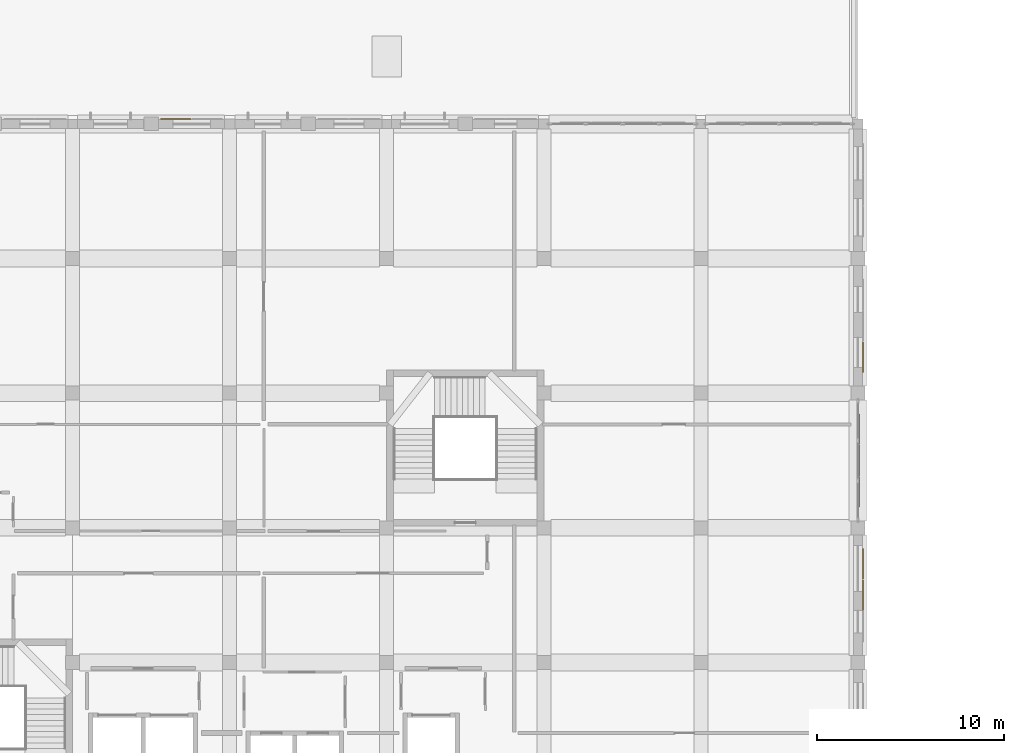
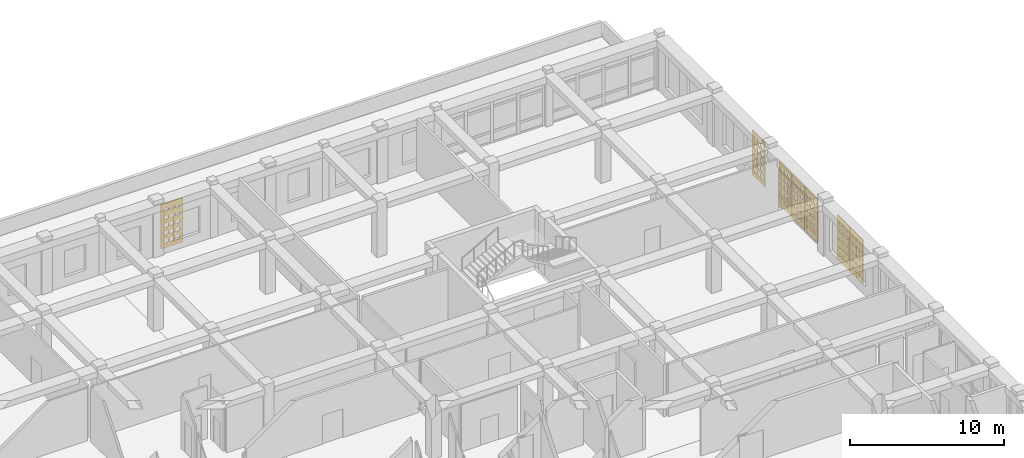
# One storey, part 102 of 111: 7 coverings.
"""IFC4 building model written with IfcOpenShell, lengths in metres."""

from ifc_helpers import new_model, si_unit, derived_unit, direction, frame, origin, place, context, subcontext, project, spatial, polyline, outline, extrude, material, layer, layer_set, type_object, element, save


model = new_model("IFC4")

# Units and contexts
model_context = context("Model", 3, precision=1e-05, world=origin(), true_north=direction((0.0, 1.0)))
body_context = subcontext(model_context, "Body", "Model", "MODEL_VIEW")
ifc_project = project(units=[si_unit("LENGTHUNIT", "METRE"), si_unit("AREAUNIT", "SQUARE_METRE"), si_unit("VOLUMEUNIT", "CUBIC_METRE"), si_unit("PLANEANGLEUNIT", "RADIAN"), si_unit("MASSUNIT", "GRAM", prefix="KILO"), derived_unit("THERMALTRANSMITTANCEUNIT", [(si_unit("POWERUNIT", "WATT"), 1), (si_unit("LENGTHUNIT", "METRE"), -2), (si_unit("THERMODYNAMICTEMPERATUREUNIT", "KELVIN"), -1)])], contexts=[model_context])

# Site, building, storey
site_placement = place(None, origin())
site = spatial("IfcSite", under=ifc_project, at=site_placement, CompositionType="ELEMENT")
building_placement = place(site_placement, origin())
building = spatial("IfcBuilding", under=site, at=building_placement, Name="Veybourne Emporium", CompositionType="ELEMENT")
storey_placement = place(building_placement, frame((0.0, 0.0, 9.89990234375)))
storey = spatial("IfcBuildingStorey", under=building, at=storey_placement, Name="L02", CompositionType="ELEMENT", Elevation=9.89990234375)

# Coverings
ifc_material = material(Name="Warm-White Perforated Aluminium Screen Alloy", Category="aluminium")
ifc_layer_1 = layer(ifc_material, 0.06005859375)
ifc_layer_set_1 = layer_set([ifc_layer_1], Name="Warm-White Perforated Aluminium Screen Alloy")
covering_type_1 = type_object("IfcCoveringType", Name="WaveScreen_SCR-01", PredefinedType="CLADDING", material=ifc_layer_set_1)
covering_1_placement = place(storey_placement, frame((101.09814453125, 82.800048828125, 1.815185546875), z_axis=(-1.0, 0.0, 0.0), x_axis=(0.0, -1.0, 0.0)))
element("IfcCovering", 1, at=covering_1_placement, inside=storey, type_object=covering_type_1, Name="L02 wave-perforated aluminium screen SCR-01 (56.2)", PredefinedType="CLADDING", context=body_context, shape_type="SweptSolid", body=[
    extrude(outline(polyline([(-0.81982421875, -1.7548828125), (0.81982421875, -1.7548828125), (0.81982421875, 1.7548828125), (-0.81982421875, 1.7548828125), (-0.81982421875, -1.7548828125)]), holes=[polyline([(-0.433349609375, -1.117919921875), (-0.333251953125, -1.1884765625), (-0.333251953125, -1.267578125), (-0.433349609375, -1.337890625), (-0.533203125, -1.267578125), (-0.533203125, -1.1884765625), (-0.433349609375, -1.117919921875)]), polyline([(-0.433349609375, -0.5029296875), (-0.33251953125, -0.573974609375), (-0.33251953125, -0.654052734375), (-0.433349609375, -0.72509765625), (-0.5341796875, -0.654052734375), (-0.5341796875, -0.573974609375), (-0.433349609375, -0.5029296875)]), polyline([(-0.433349609375, 0.1142578125), (-0.329833984375, 0.041259765625), (-0.329833984375, -0.041259765625), (-0.433349609375, -0.1142578125), (-0.536865234375, -0.041259765625), (-0.536865234375, 0.041259765625), (-0.433349609375, 0.1142578125)]), polyline([(-0.433349609375, 0.73388671875), (-0.3251953125, 0.6572265625), (-0.3251953125, 0.57080078125), (-0.433349609375, 0.493896484375), (-0.54150390625, 0.57080078125), (-0.54150390625, 0.6572265625), (-0.433349609375, 0.73388671875)]), polyline([(-0.433349609375, 1.355712890625), (-0.318603515625, 1.27392578125), (-0.318603515625, 1.181884765625), (-0.433349609375, 1.10009765625), (-0.5478515625, 1.181884765625), (-0.5478515625, 1.27392578125), (-0.433349609375, 1.355712890625)]), polyline([(0.0, -1.11767578125), (0.100341796875, -1.188232421875), (0.100341796875, -1.267578125), (0.0, -1.33837890625), (-0.100341796875, -1.267578125), (-0.100341796875, -1.188232421875), (0.0, -1.11767578125)]), polyline([(0.0, -0.50390625), (0.10009765625, -0.57421875), (0.10009765625, -0.65380859375), (0.0, -0.72412109375), (-0.10009765625, -0.65380859375), (-0.10009765625, -0.57421875), (0.0, -0.50390625)]), polyline([(0.0, 0.112548828125), (0.10205078125, 0.04052734375), (0.10205078125, -0.04052734375), (0.0, -0.112548828125), (-0.10205078125, -0.04052734375), (-0.10205078125, 0.04052734375), (0.0, 0.112548828125)]), polyline([(0.0, 0.731201171875), (0.10595703125, 0.65625), (0.10595703125, 0.57177734375), (0.0, 0.496826171875), (-0.10595703125, 0.57177734375), (-0.10595703125, 0.65625), (0.0, 0.731201171875)]), polyline([(0.0, 1.35205078125), (0.111572265625, 1.272705078125), (0.111572265625, 1.183349609375), (0.0, 1.10400390625), (-0.111572265625, 1.183349609375), (-0.111572265625, 1.272705078125), (0.0, 1.35205078125)]), polyline([(0.433349609375, -1.11669921875), (0.5341796875, -1.18798828125), (0.5341796875, -1.26806640625), (0.433349609375, -1.339111328125), (0.332275390625, -1.26806640625), (0.332275390625, -1.18798828125), (0.433349609375, -1.11669921875)]), polyline([(0.433349609375, -0.50390625), (0.533203125, -0.574462890625), (0.533203125, -0.653564453125), (0.433349609375, -0.72412109375), (0.333251953125, -0.653564453125), (0.333251953125, -0.574462890625), (0.433349609375, -0.50390625)]), polyline([(0.433349609375, 0.111083984375), (0.5341796875, 0.0400390625), (0.5341796875, -0.0400390625), (0.433349609375, -0.111083984375), (0.33251953125, -0.0400390625), (0.33251953125, 0.0400390625), (0.433349609375, 0.111083984375)]), polyline([(0.433349609375, 0.728759765625), (0.537109375, 0.6552734375), (0.537109375, 0.57275390625), (0.433349609375, 0.499267578125), (0.329345703125, 0.57275390625), (0.329345703125, 0.6552734375), (0.433349609375, 0.728759765625)]), polyline([(0.433349609375, 1.3486328125), (0.5419921875, 1.271484375), (0.5419921875, 1.1845703125), (0.433349609375, 1.107421875), (0.32470703125, 1.1845703125), (0.32470703125, 1.271484375), (0.433349609375, 1.3486328125)])]), origin(), (0.0, 0.0, 1.0), 0.06005859375),
])
covering_2_placement = place(storey_placement, frame((100.89697265625, 91.679931640625, 1.815185546875), z_axis=(-1.0, 0.0, 0.0), x_axis=(0.0, -1.0, 0.0)))
element("IfcCovering", 2, at=covering_2_placement, inside=storey, type_object=covering_type_1, Name="L02 wave-perforated aluminium screen SCR-01 (57C.1)", PredefinedType="CLADDING", context=body_context, shape_type="SweptSolid", body=[
    extrude(outline(polyline([(-0.81982421875, -1.7548828125), (0.81982421875, -1.7548828125), (0.81982421875, 1.7548828125), (-0.81982421875, 1.7548828125), (-0.81982421875, -1.7548828125)]), holes=[polyline([(-0.433349609375, -1.03759765625), (-0.267578125, -1.159423828125), (-0.267578125, -1.29638671875), (-0.433349609375, -1.418212890625), (-0.59912109375, -1.29638671875), (-0.59912109375, -1.159423828125), (-0.433349609375, -1.03759765625)]), polyline([(-0.433349609375, -0.409423828125), (-0.256103515625, -0.540283203125), (-0.256103515625, -0.6875), (-0.433349609375, -0.818603515625), (-0.610595703125, -0.6875), (-0.610595703125, -0.540283203125), (-0.433349609375, -0.409423828125)]), polyline([(-0.433349609375, 0.21826171875), (-0.2470703125, 0.07861328125), (-0.2470703125, -0.07861328125), (-0.433349609375, -0.21826171875), (-0.61962890625, -0.07861328125), (-0.61962890625, 0.07861328125), (-0.433349609375, 0.21826171875)]), polyline([(-0.433349609375, 0.84521484375), (-0.2470703125, 0.697265625), (-0.2470703125, 0.53076171875), (-0.433349609375, 0.3828125), (-0.61962890625, 0.53076171875), (-0.61962890625, 0.697265625), (-0.433349609375, 0.84521484375)]), polyline([(-0.433349609375, 1.47119140625), (-0.2470703125, 1.3154296875), (-0.2470703125, 1.140380859375), (-0.433349609375, 0.98486328125), (-0.61962890625, 1.140380859375), (-0.61962890625, 1.3154296875), (-0.433349609375, 1.47119140625)]), polyline([(0.0, -1.044189453125), (0.160400390625, -1.161865234375), (0.160400390625, -1.294189453125), (0.0, -1.411865234375), (-0.160400390625, -1.294189453125), (-0.160400390625, -1.161865234375), (0.0, -1.044189453125)]), polyline([(0.0, -0.416015625), (0.172119140625, -0.542724609375), (0.172119140625, -0.685302734375), (0.0, -0.81201171875), (-0.172119140625, -0.685302734375), (-0.172119140625, -0.542724609375), (0.0, -0.416015625)]), polyline([(0.0, 0.212158203125), (0.18359375, 0.076416015625), (0.18359375, -0.076416015625), (0.0, -0.212158203125), (-0.18359375, -0.076416015625), (-0.18359375, 0.076416015625), (0.0, 0.212158203125)]), polyline([(0.0, 0.839599609375), (0.186279296875, 0.6953125), (0.186279296875, 0.53271484375), (0.0, 0.388427734375), (-0.186279296875, 0.53271484375), (-0.186279296875, 0.6953125), (0.0, 0.839599609375)]), polyline([(0.0, 1.4658203125), (0.186279296875, 1.313720703125), (0.186279296875, 1.142333984375), (0.0, 0.989990234375), (-0.186279296875, 1.142333984375), (-0.186279296875, 1.313720703125), (0.0, 1.4658203125)]), polyline([(0.433349609375, -1.050537109375), (0.588623046875, -1.1640625), (0.588623046875, -1.2919921875), (0.433349609375, -1.405517578125), (0.278076171875, -1.2919921875), (0.278076171875, -1.1640625), (0.433349609375, -1.050537109375)]), polyline([(0.433349609375, -0.42236328125), (0.60009765625, -0.544921875), (0.60009765625, -0.68310546875), (0.433349609375, -0.8056640625), (0.2666015625, -0.68310546875), (0.2666015625, -0.544921875), (0.433349609375, -0.42236328125)]), polyline([(0.433349609375, 0.205810546875), (0.61181640625, 0.07421875), (0.61181640625, -0.07421875), (0.433349609375, -0.205810546875), (0.2548828125, -0.07421875), (0.2548828125, 0.07421875), (0.433349609375, 0.205810546875)]), polyline([(0.433349609375, 0.83349609375), (0.61962890625, 0.693115234375), (0.61962890625, 0.534912109375), (0.433349609375, 0.39453125), (0.2470703125, 0.534912109375), (0.2470703125, 0.693115234375), (0.433349609375, 0.83349609375)]), polyline([(0.433349609375, 1.46044921875), (0.61962890625, 1.311767578125), (0.61962890625, 1.144287109375), (0.433349609375, 0.99560546875), (0.2470703125, 1.144287109375), (0.2470703125, 1.311767578125), (0.433349609375, 1.46044921875)])]), origin(), (0.0, 0.0, 1.0), 0.06005859375),
])
ifc_layer_2 = layer(ifc_material, 0.06005859375)
ifc_layer_set_2 = layer_set([ifc_layer_2], Name="Warm-White Perforated Aluminium Screen Alloy")
covering_type_2 = type_object("IfcCoveringType", Name="WaveScreen_SCR-02", PredefinedType="CLADDING", material=ifc_layer_set_2)
covering_3_placement = place(storey_placement, frame((64.322509765625, 108.298095703125, 1.815185546875), z_axis=(0.0, -1.0, 0.0), x_axis=(1.0, 0.0, 0.0)))
element("IfcCovering", 3, at=covering_3_placement, inside=storey, type_object=covering_type_2, Name="L02 wave-perforated aluminium screen SCR-02 (34B.1)", PredefinedType="CLADDING", context=body_context, shape_type="SweptSolid", body=[
    extrude(outline(polyline([(-0.81982421875, -1.7548828125), (0.81982421875, -1.7548828125), (0.81982421875, 1.7548828125), (-0.81982421875, 1.7548828125), (-0.81982421875, -1.7548828125)]), holes=[polyline([(-0.433349609375, -0.98681640625), (-0.2470703125, -1.14111328125), (-0.2470703125, -1.31494140625), (-0.433349609375, -1.46923828125), (-0.61962890625, -1.31494140625), (-0.61962890625, -1.14111328125), (-0.433349609375, -0.98681640625)]), polyline([(-0.433349609375, -0.384765625), (-0.2470703125, -0.531494140625), (-0.2470703125, -0.696533203125), (-0.433349609375, -0.84326171875), (-0.61962890625, -0.696533203125), (-0.61962890625, -0.531494140625), (-0.433349609375, -0.384765625)]), polyline([(-0.433349609375, 0.216064453125), (-0.2470703125, 0.077880859375), (-0.2470703125, -0.077880859375), (-0.433349609375, -0.216064453125), (-0.61962890625, -0.077880859375), (-0.61962890625, 0.077880859375), (-0.433349609375, 0.216064453125)]), polyline([(-0.433349609375, 0.816162109375), (-0.2578125, 0.686767578125), (-0.2578125, 0.541259765625), (-0.433349609375, 0.411865234375), (-0.608642578125, 0.541259765625), (-0.608642578125, 0.686767578125), (-0.433349609375, 0.816162109375)]), polyline([(-0.433349609375, 1.416015625), (-0.26953125, 1.295654296875), (-0.26953125, 1.160400390625), (-0.433349609375, 1.0400390625), (-0.59716796875, 1.160400390625), (-0.59716796875, 1.295654296875), (-0.433349609375, 1.416015625)]), polyline([(0.0, -0.991943359375), (0.186279296875, -1.14306640625), (0.186279296875, -1.31298828125), (0.0, -1.464111328125), (-0.186279296875, -1.31298828125), (-0.186279296875, -1.14306640625), (0.0, -0.991943359375)]), polyline([(0.0, -0.390625), (0.186279296875, -0.53369140625), (0.186279296875, -0.6943359375), (0.0, -0.83740234375), (-0.186279296875, -0.6943359375), (-0.186279296875, -0.53369140625), (0.0, -0.390625)]), polyline([(0.0, 0.209716796875), (0.181640625, 0.075439453125), (0.181640625, -0.075439453125), (0.0, -0.209716796875), (-0.181640625, -0.075439453125), (-0.181640625, 0.075439453125), (0.0, 0.209716796875)]), polyline([(0.0, 0.809814453125), (0.170166015625, 0.6845703125), (0.170166015625, 0.54345703125), (0.0, 0.418212890625), (-0.170166015625, 0.54345703125), (-0.170166015625, 0.6845703125), (0.0, 0.809814453125)]), polyline([(0.0, 1.40966796875), (0.15869140625, 1.29345703125), (0.15869140625, 1.16259765625), (0.0, 1.04638671875), (-0.15869140625, 1.16259765625), (-0.15869140625, 1.29345703125), (0.0, 1.40966796875)]), polyline([(0.433349609375, -0.99755859375), (0.61962890625, -1.14501953125), (0.61962890625, -1.310791015625), (0.433349609375, -1.45849609375), (0.2470703125, -1.310791015625), (0.2470703125, -1.14501953125), (0.433349609375, -0.99755859375)]), polyline([(0.433349609375, -0.396728515625), (0.61962890625, -0.535888671875), (0.61962890625, -0.692138671875), (0.433349609375, -0.831298828125), (0.2470703125, -0.692138671875), (0.2470703125, -0.535888671875), (0.433349609375, -0.396728515625)]), polyline([(0.433349609375, 0.203369140625), (0.60986328125, 0.0732421875), (0.60986328125, -0.0732421875), (0.433349609375, -0.203369140625), (0.2568359375, -0.0732421875), (0.2568359375, 0.0732421875), (0.433349609375, 0.203369140625)]), polyline([(0.433349609375, 0.80322265625), (0.59814453125, 0.68212890625), (0.59814453125, 0.5458984375), (0.433349609375, 0.4248046875), (0.2685546875, 0.5458984375), (0.2685546875, 0.68212890625), (0.433349609375, 0.80322265625)]), polyline([(0.433349609375, 1.4033203125), (0.586669921875, 1.291015625), (0.586669921875, 1.164794921875), (0.433349609375, 1.052734375), (0.280029296875, 1.164794921875), (0.280029296875, 1.291015625), (0.433349609375, 1.4033203125)])]), origin(), (0.0, 0.0, 1.0), 0.06005859375),
])
covering_4_placement = place(storey_placement, frame((100.89697265625, 90.0, 1.815185546875), z_axis=(-1.0, 0.0, 0.0), x_axis=(0.0, -1.0, 0.0)))
element("IfcCovering", 4, at=covering_4_placement, inside=storey, type_object=covering_type_2, Name="L02 wave-perforated aluminium screen SCR-02 (57C.2)", PredefinedType="CLADDING", context=body_context, shape_type="SweptSolid", body=[
    extrude(outline(polyline([(-0.81982421875, -1.7548828125), (0.81982421875, -1.7548828125), (0.81982421875, 1.7548828125), (-0.81982421875, 1.7548828125), (-0.81982421875, -1.7548828125)]), holes=[polyline([(-0.433349609375, -1.06201171875), (-0.28759765625, -1.168212890625), (-0.28759765625, -1.28759765625), (-0.433349609375, -1.393798828125), (-0.5791015625, -1.28759765625), (-0.5791015625, -1.168212890625), (-0.433349609375, -1.06201171875)]), polyline([(-0.433349609375, -0.434326171875), (-0.2763671875, -0.54931640625), (-0.2763671875, -0.6787109375), (-0.433349609375, -0.793701171875), (-0.59033203125, -0.6787109375), (-0.59033203125, -0.54931640625), (-0.433349609375, -0.434326171875)]), polyline([(-0.433349609375, 0.193603515625), (-0.264892578125, 0.069580078125), (-0.264892578125, -0.069580078125), (-0.433349609375, -0.193603515625), (-0.601806640625, -0.069580078125), (-0.601806640625, 0.069580078125), (-0.433349609375, 0.193603515625)]), polyline([(-0.433349609375, 0.82177734375), (-0.25341796875, 0.688720703125), (-0.25341796875, 0.539306640625), (-0.433349609375, 0.40625), (-0.61328125, 0.539306640625), (-0.61328125, 0.688720703125), (-0.433349609375, 0.82177734375)]), polyline([(-0.433349609375, 1.449462890625), (-0.2470703125, 1.3076171875), (-0.2470703125, 1.148193359375), (-0.433349609375, 1.006591796875), (-0.61962890625, 1.148193359375), (-0.61962890625, 1.3076171875), (-0.433349609375, 1.449462890625)]), polyline([(0.0, -1.068115234375), (0.140869140625, -1.17041015625), (0.140869140625, -1.28564453125), (0.0, -1.387939453125), (-0.140869140625, -1.28564453125), (-0.140869140625, -1.17041015625), (0.0, -1.068115234375)]), polyline([(0.0, -0.440673828125), (0.15185546875, -0.551513671875), (0.15185546875, -0.676513671875), (0.0, -0.787353515625), (-0.15185546875, -0.676513671875), (-0.15185546875, -0.551513671875), (0.0, -0.440673828125)]), polyline([(0.0, 0.187255859375), (0.163330078125, 0.0673828125), (0.163330078125, -0.0673828125), (0.0, -0.187255859375), (-0.163330078125, -0.0673828125), (-0.163330078125, 0.0673828125), (0.0, 0.187255859375)]), polyline([(0.0, 0.8154296875), (0.1748046875, 0.6865234375), (0.1748046875, 0.54150390625), (0.0, 0.41259765625), (-0.1748046875, 0.54150390625), (-0.1748046875, 0.6865234375), (0.0, 0.8154296875)]), polyline([(0.0, 1.443359375), (0.186279296875, 1.305419921875), (0.186279296875, 1.150390625), (0.0, 1.0126953125), (-0.186279296875, 1.150390625), (-0.186279296875, 1.305419921875), (0.0, 1.443359375)]), polyline([(0.433349609375, -1.073974609375), (0.5693359375, -1.172607421875), (0.5693359375, -1.283447265625), (0.433349609375, -1.382080078125), (0.29736328125, -1.283447265625), (0.29736328125, -1.172607421875), (0.433349609375, -1.073974609375)]), polyline([(0.433349609375, -0.447021484375), (0.580078125, -0.5537109375), (0.580078125, -0.67431640625), (0.433349609375, -0.781005859375), (0.28662109375, -0.67431640625), (0.28662109375, -0.5537109375), (0.433349609375, -0.447021484375)]), polyline([(0.433349609375, 0.180908203125), (0.59130859375, 0.065185546875), (0.59130859375, -0.065185546875), (0.433349609375, -0.180908203125), (0.275390625, -0.065185546875), (0.275390625, 0.065185546875), (0.433349609375, 0.180908203125)]), polyline([(0.433349609375, 0.80908203125), (0.602783203125, 0.68408203125), (0.602783203125, 0.543701171875), (0.433349609375, 0.4189453125), (0.263671875, 0.543701171875), (0.263671875, 0.68408203125), (0.433349609375, 0.80908203125)]), polyline([(0.433349609375, 1.43701171875), (0.614501953125, 1.30322265625), (0.614501953125, 1.152587890625), (0.433349609375, 1.018798828125), (0.252197265625, 1.152587890625), (0.252197265625, 1.30322265625), (0.433349609375, 1.43701171875)])]), origin(), (0.0, 0.0, 1.0), 0.06005859375),
])
ifc_layer_3 = layer(ifc_material, 0.06005859375)
ifc_layer_set_3 = layer_set([ifc_layer_3], Name="Warm-White Perforated Aluminium Screen Alloy")
covering_type_3 = type_object("IfcCoveringType", Name="WaveScreen_SCR-03", PredefinedType="CLADDING", material=ifc_layer_set_3)
covering_5_placement = place(storey_placement, frame((100.89697265625, 88.320068359375, 1.815185546875), z_axis=(-1.0, 0.0, 0.0), x_axis=(0.0, -1.0, 0.0)))
element("IfcCovering", 5, at=covering_5_placement, inside=storey, type_object=covering_type_3, Name="L02 wave-perforated aluminium screen SCR-03 (57C.3)", PredefinedType="CLADDING", context=body_context, shape_type="SweptSolid", body=[
    extrude(outline(polyline([(-0.81982421875, -1.7548828125), (0.81982421875, -1.7548828125), (0.81982421875, 1.7548828125), (-0.81982421875, 1.7548828125), (-0.81982421875, -1.7548828125)]), holes=[polyline([(-0.433349609375, -1.084228515625), (-0.3056640625, -1.17626953125), (-0.3056640625, -1.27978515625), (-0.433349609375, -1.371826171875), (-0.56103515625, -1.27978515625), (-0.56103515625, -1.17626953125), (-0.433349609375, -1.084228515625)]), polyline([(-0.433349609375, -0.4580078125), (-0.295654296875, -0.557861328125), (-0.295654296875, -0.670166015625), (-0.433349609375, -0.77001953125), (-0.57080078125, -0.670166015625), (-0.57080078125, -0.557861328125), (-0.433349609375, -0.4580078125)]), polyline([(-0.433349609375, 0.169189453125), (-0.284912109375, 0.060791015625), (-0.284912109375, -0.060791015625), (-0.433349609375, -0.169189453125), (-0.581787109375, -0.060791015625), (-0.581787109375, 0.060791015625), (-0.433349609375, 0.169189453125)]), polyline([(-0.433349609375, 0.797119140625), (-0.273681640625, 0.679931640625), (-0.273681640625, 0.548095703125), (-0.433349609375, 0.430908203125), (-0.593017578125, 0.548095703125), (-0.593017578125, 0.679931640625), (-0.433349609375, 0.797119140625)]), polyline([(-0.433349609375, 1.42529296875), (-0.261962890625, 1.299072265625), (-0.261962890625, 1.156982421875), (-0.433349609375, 1.03076171875), (-0.604736328125, 1.156982421875), (-0.604736328125, 1.299072265625), (-0.433349609375, 1.42529296875)]), polyline([(0.0, -1.089111328125), (0.12353515625, -1.177978515625), (0.12353515625, -1.278076171875), (0.0, -1.36669921875), (-0.12353515625, -1.278076171875), (-0.12353515625, -1.177978515625), (0.0, -1.089111328125)]), polyline([(0.0, -0.463623046875), (0.133056640625, -0.559814453125), (0.133056640625, -0.668212890625), (0.0, -0.764404296875), (-0.133056640625, -0.668212890625), (-0.133056640625, -0.559814453125), (0.0, -0.463623046875)]), polyline([(0.0, 0.1630859375), (0.143310546875, 0.05859375), (0.143310546875, -0.05859375), (0.0, -0.1630859375), (-0.143310546875, -0.05859375), (-0.143310546875, 0.05859375), (0.0, 0.1630859375)]), polyline([(0.0, 0.79052734375), (0.154541015625, 0.677490234375), (0.154541015625, 0.55029296875), (0.0, 0.4375), (-0.154541015625, 0.55029296875), (-0.154541015625, 0.677490234375), (0.0, 0.79052734375)]), polyline([(0.0, 1.418701171875), (0.166015625, 1.296630859375), (0.166015625, 1.1591796875), (0.0, 1.037353515625), (-0.166015625, 1.1591796875), (-0.166015625, 1.296630859375), (0.0, 1.418701171875)]), polyline([(0.433349609375, -1.093994140625), (0.552978515625, -1.1796875), (0.552978515625, -1.2763671875), (0.433349609375, -1.362060546875), (0.313720703125, -1.2763671875), (0.313720703125, -1.1796875), (0.433349609375, -1.093994140625)]), polyline([(0.433349609375, -0.468994140625), (0.56201171875, -0.561767578125), (0.56201171875, -0.666259765625), (0.433349609375, -0.7587890625), (0.3046875, -0.666259765625), (0.3046875, -0.561767578125), (0.433349609375, -0.468994140625)]), polyline([(0.433349609375, 0.156982421875), (0.572021484375, 0.056640625), (0.572021484375, -0.056640625), (0.433349609375, -0.156982421875), (0.294921875, -0.056640625), (0.294921875, 0.056640625), (0.433349609375, 0.156982421875)]), polyline([(0.433349609375, 0.784423828125), (0.582763671875, 0.67529296875), (0.582763671875, 0.552734375), (0.433349609375, 0.443603515625), (0.283935546875, 0.552734375), (0.283935546875, 0.67529296875), (0.433349609375, 0.784423828125)]), polyline([(0.433349609375, 1.412353515625), (0.593994140625, 1.29443359375), (0.593994140625, 1.16162109375), (0.433349609375, 1.043701171875), (0.2724609375, 1.16162109375), (0.2724609375, 1.29443359375), (0.433349609375, 1.412353515625)])]), origin(), (0.0, 0.0, 1.0), 0.06005859375),
])
ifc_layer_4 = layer(ifc_material, 0.06005859375)
ifc_layer_set_4 = layer_set([ifc_layer_4], Name="Warm-White Perforated Aluminium Screen Alloy")
covering_type_4 = type_object("IfcCoveringType", Name="WaveScreen_SCR-04", PredefinedType="CLADDING", material=ifc_layer_set_4)
covering_6_placement = place(storey_placement, frame((101.09814453125, 84.47998046875, 1.815185546875), z_axis=(-1.0, 0.0, 0.0), x_axis=(0.0, -1.0, 0.0)))
element("IfcCovering", 6, at=covering_6_placement, inside=storey, type_object=covering_type_4, Name="L02 wave-perforated aluminium screen SCR-04 (56.1)", PredefinedType="CLADDING", context=body_context, shape_type="SweptSolid", body=[
    extrude(outline(polyline([(-0.81982421875, -1.7548828125), (0.81982421875, -1.7548828125), (0.81982421875, 1.7548828125), (-0.81982421875, 1.7548828125), (-0.81982421875, -1.7548828125)]), holes=[polyline([(-0.433349609375, -1.11474609375), (-0.33056640625, -1.187255859375), (-0.33056640625, -1.268798828125), (-0.433349609375, -1.34130859375), (-0.5361328125, -1.268798828125), (-0.5361328125, -1.187255859375), (-0.433349609375, -1.11474609375)]), polyline([(-0.433349609375, -0.49560546875), (-0.326416015625, -0.5712890625), (-0.326416015625, -0.656494140625), (-0.433349609375, -0.732421875), (-0.540283203125, -0.656494140625), (-0.540283203125, -0.5712890625), (-0.433349609375, -0.49560546875)]), polyline([(-0.433349609375, 0.125732421875), (-0.3203125, 0.04541015625), (-0.3203125, -0.04541015625), (-0.433349609375, -0.125732421875), (-0.546142578125, -0.04541015625), (-0.546142578125, 0.04541015625), (-0.433349609375, 0.125732421875)]), polyline([(-0.433349609375, 0.7490234375), (-0.312744140625, 0.66259765625), (-0.312744140625, 0.5654296875), (-0.433349609375, 0.47900390625), (-0.5537109375, 0.5654296875), (-0.5537109375, 0.66259765625), (-0.433349609375, 0.7490234375)]), polyline([(-0.433349609375, 1.3740234375), (-0.303955078125, 1.280517578125), (-0.303955078125, 1.17529296875), (-0.433349609375, 1.08203125), (-0.562744140625, 1.17529296875), (-0.562744140625, 1.280517578125), (-0.433349609375, 1.3740234375)]), polyline([(0.0, -1.1162109375), (0.101318359375, -1.187744140625), (0.101318359375, -1.268310546875), (0.0, -1.33984375), (-0.101318359375, -1.268310546875), (-0.101318359375, -1.187744140625), (0.0, -1.1162109375)]), polyline([(0.0, -0.498291015625), (0.104736328125, -0.572265625), (0.104736328125, -0.65576171875), (0.0, -0.729736328125), (-0.104736328125, -0.65576171875), (-0.104736328125, -0.572265625), (0.0, -0.498291015625)]), polyline([(0.0, 0.122314453125), (0.110107421875, 0.0439453125), (0.110107421875, -0.0439453125), (0.0, -0.122314453125), (-0.110107421875, -0.0439453125), (-0.110107421875, 0.0439453125), (0.0, 0.122314453125)]), polyline([(0.0, 0.74462890625), (0.116943359375, 0.660888671875), (0.116943359375, 0.56689453125), (0.0, 0.4833984375), (-0.116943359375, 0.56689453125), (-0.116943359375, 0.660888671875), (0.0, 0.74462890625)]), polyline([(0.0, 1.368896484375), (0.125244140625, 1.27880859375), (0.125244140625, 1.17724609375), (0.0, 1.087158203125), (-0.125244140625, 1.17724609375), (-0.125244140625, 1.27880859375), (0.0, 1.368896484375)]), polyline([(0.433349609375, -1.1171875), (0.533935546875, -1.188232421875), (0.533935546875, -1.267822265625), (0.433349609375, -1.338623046875), (0.332763671875, -1.267822265625), (0.332763671875, -1.188232421875), (0.433349609375, -1.1171875)]), polyline([(0.433349609375, -0.500244140625), (0.536376953125, -0.572998046875), (0.536376953125, -0.65478515625), (0.433349609375, -0.727783203125), (0.330322265625, -0.65478515625), (0.330322265625, -0.572998046875), (0.433349609375, -0.500244140625)]), polyline([(0.433349609375, 0.118896484375), (0.540771484375, 0.04296875), (0.540771484375, -0.04296875), (0.433349609375, -0.118896484375), (0.325927734375, -0.04296875), (0.325927734375, 0.04296875), (0.433349609375, 0.118896484375)]), polyline([(0.433349609375, 0.740478515625), (0.546875, 0.65966796875), (0.546875, 0.568359375), (0.433349609375, 0.487548828125), (0.31982421875, 0.568359375), (0.31982421875, 0.65966796875), (0.433349609375, 0.740478515625)]), polyline([(0.433349609375, 1.364013671875), (0.5546875, 1.277099609375), (0.5546875, 1.178955078125), (0.433349609375, 1.092041015625), (0.31201171875, 1.178955078125), (0.31201171875, 1.277099609375), (0.433349609375, 1.364013671875)])]), origin(), (0.0, 0.0, 1.0), 0.06005859375),
])
covering_7_placement = place(storey_placement, frame((101.09814453125, 95.52001953125, 1.815185546875), z_axis=(-1.0, 0.0, 0.0), x_axis=(0.0, -1.0, 0.0)))
element("IfcCovering", 7, at=covering_7_placement, inside=storey, type_object=covering_type_4, Name="L02 wave-perforated aluminium screen SCR-04 (58.3)", PredefinedType="CLADDING", context=body_context, shape_type="SweptSolid", body=[
    extrude(outline(polyline([(-0.81982421875, -1.7548828125), (0.81982421875, -1.7548828125), (0.81982421875, 1.7548828125), (-0.81982421875, 1.7548828125), (-0.81982421875, -1.7548828125)]), holes=[polyline([(-0.433349609375, -0.982421875), (-0.2470703125, -1.139404296875), (-0.2470703125, -1.31640625), (-0.433349609375, -1.4736328125), (-0.61962890625, -1.31640625), (-0.61962890625, -1.139404296875), (-0.433349609375, -0.982421875)]), polyline([(-0.433349609375, -0.3583984375), (-0.2470703125, -0.52197265625), (-0.2470703125, -0.7060546875), (-0.433349609375, -0.86962890625), (-0.61962890625, -0.7060546875), (-0.61962890625, -0.52197265625), (-0.433349609375, -0.3583984375)]), polyline([(-0.433349609375, 0.263916015625), (-0.2470703125, 0.094970703125), (-0.2470703125, -0.094970703125), (-0.433349609375, -0.263916015625), (-0.61962890625, -0.094970703125), (-0.61962890625, 0.094970703125), (-0.433349609375, 0.263916015625)]), polyline([(-0.433349609375, 0.8779296875), (-0.2470703125, 0.708984375), (-0.2470703125, 0.51904296875), (-0.433349609375, 0.35009765625), (-0.61962890625, 0.51904296875), (-0.61962890625, 0.708984375), (-0.433349609375, 0.8779296875)]), polyline([(-0.433349609375, 1.491943359375), (-0.2470703125, 1.322998046875), (-0.2470703125, 1.133056640625), (-0.433349609375, 0.964111328125), (-0.61962890625, 1.133056640625), (-0.61962890625, 1.322998046875), (-0.433349609375, 1.491943359375)]), polyline([(0.0, -0.9873046875), (0.186279296875, -1.141357421875), (0.186279296875, -1.314697265625), (0.0, -1.468505859375), (-0.186279296875, -1.314697265625), (-0.186279296875, -1.141357421875), (0.0, -0.9873046875)]), polyline([(0.0, -0.362548828125), (0.186279296875, -0.5234375), (0.186279296875, -0.70458984375), (0.0, -0.865478515625), (-0.186279296875, -0.70458984375), (-0.186279296875, -0.5234375), (0.0, -0.362548828125)]), polyline([(0.0, 0.260498046875), (0.186279296875, 0.09375), (0.186279296875, -0.09375), (0.0, -0.260498046875), (-0.186279296875, -0.09375), (-0.186279296875, 0.09375), (0.0, 0.260498046875)]), polyline([(0.0, 0.8779296875), (0.186279296875, 0.708984375), (0.186279296875, 0.51904296875), (0.0, 0.35009765625), (-0.186279296875, 0.51904296875), (-0.186279296875, 0.708984375), (0.0, 0.8779296875)]), polyline([(0.0, 1.491943359375), (0.186279296875, 1.322998046875), (0.186279296875, 1.133056640625), (0.0, 0.964111328125), (-0.186279296875, 1.133056640625), (-0.186279296875, 1.322998046875), (0.0, 1.491943359375)]), polyline([(0.433349609375, -0.99267578125), (0.61962890625, -1.143310546875), (0.61962890625, -1.312744140625), (0.433349609375, -1.46337890625), (0.2470703125, -1.312744140625), (0.2470703125, -1.143310546875), (0.433349609375, -0.99267578125)]), polyline([(0.433349609375, -0.3671875), (0.61962890625, -0.525146484375), (0.61962890625, -0.702880859375), (0.433349609375, -0.860595703125), (0.2470703125, -0.702880859375), (0.2470703125, -0.525146484375), (0.433349609375, -0.3671875)]), polyline([(0.433349609375, 0.256591796875), (0.61962890625, 0.09228515625), (0.61962890625, -0.09228515625), (0.433349609375, -0.256591796875), (0.2470703125, -0.09228515625), (0.2470703125, 0.09228515625), (0.433349609375, 0.256591796875)]), polyline([(0.433349609375, 0.8779296875), (0.61962890625, 0.708984375), (0.61962890625, 0.51904296875), (0.433349609375, 0.35009765625), (0.2470703125, 0.51904296875), (0.2470703125, 0.708984375), (0.433349609375, 0.8779296875)]), polyline([(0.433349609375, 1.491943359375), (0.61962890625, 1.322998046875), (0.61962890625, 1.133056640625), (0.433349609375, 0.964111328125), (0.2470703125, 1.133056640625), (0.2470703125, 1.322998046875), (0.433349609375, 1.491943359375)])]), origin(), (0.0, 0.0, 1.0), 0.06005859375),
])

save(model, "model.ifc")
